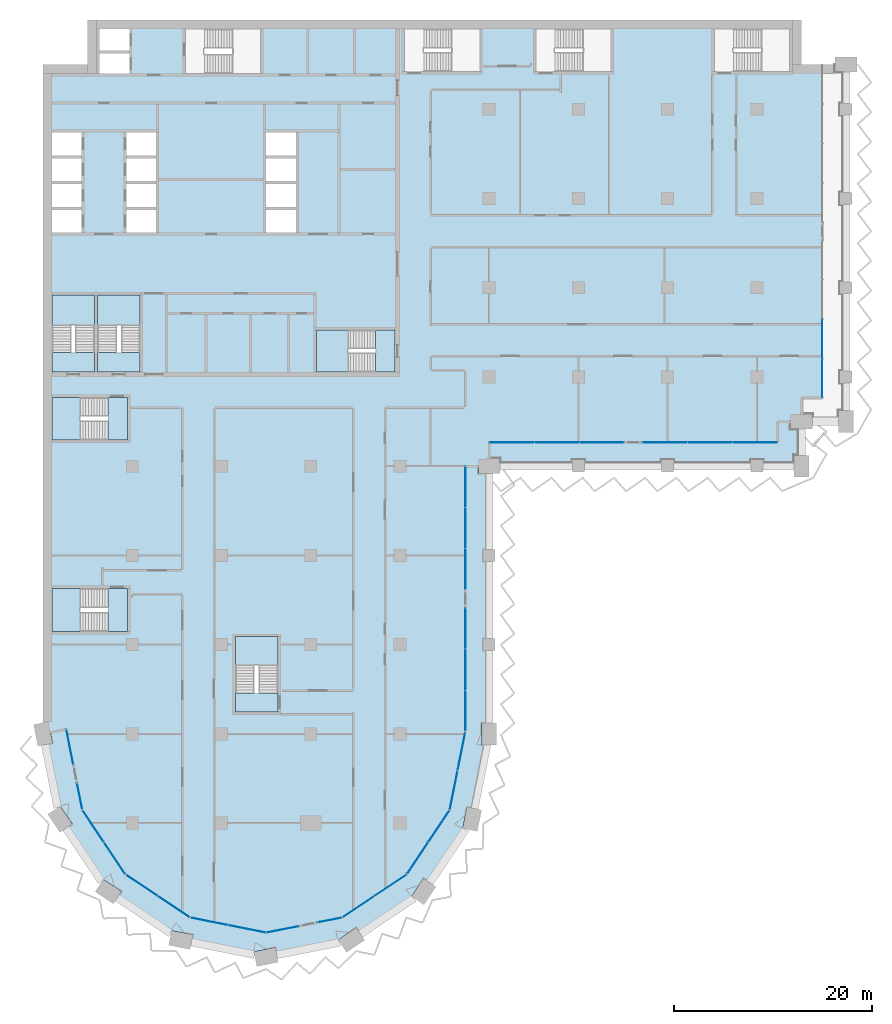
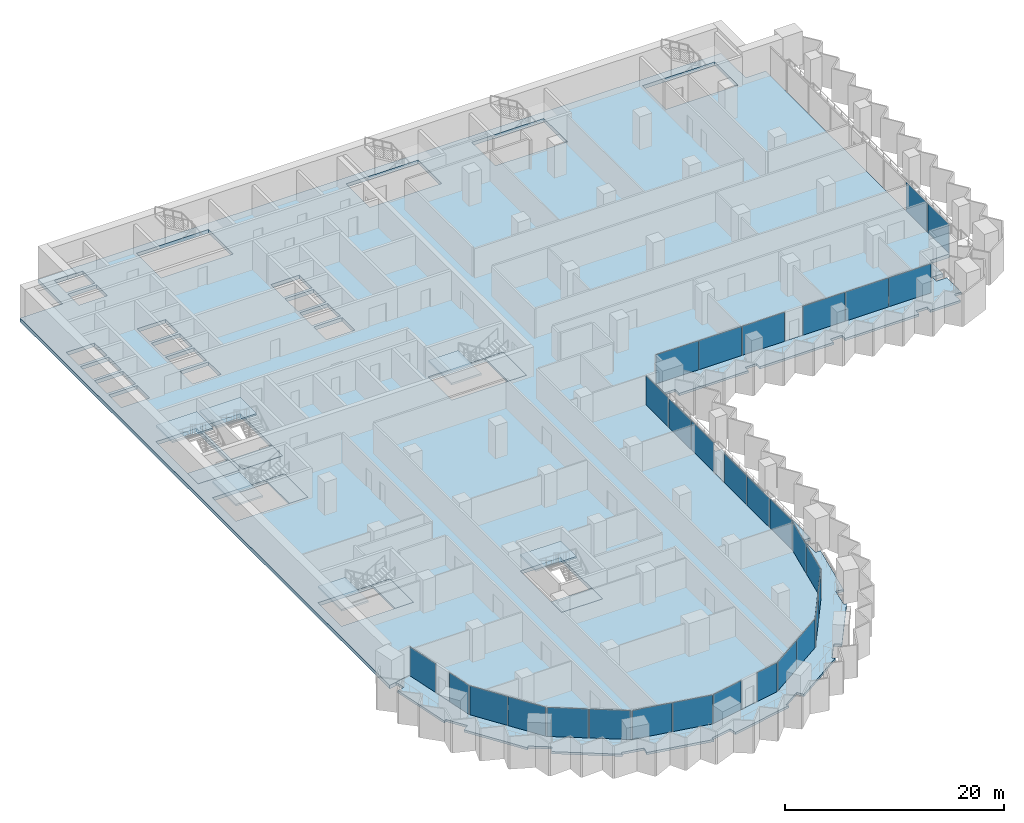
# One storey, part 7 of 23: 30 plates, 15 slabs, 21 elements without a shape of their own.
"""IFC4 building model written with IfcOpenShell, lengths in metres."""

from ifc_helpers import new_model, si_unit, direction, frame, origin, origin_2d, place, context, subcontext, project, spatial, polyline, rectangle, outline, extrude, material, layer, layer_set, type_object, element, aggregate, save


model = new_model("IFC4")

# Units and contexts
model_context = context("Model", 3, precision=1e-05, world=origin(), true_north=direction((0.0, 1.0)))
body_context = subcontext(model_context, "Body", "Model", "MODEL_VIEW")
ifc_project = project(units=[si_unit("LENGTHUNIT", "METRE"), si_unit("AREAUNIT", "SQUARE_METRE"), si_unit("VOLUMEUNIT", "CUBIC_METRE"), si_unit("PLANEANGLEUNIT", "RADIAN"), si_unit("MASSUNIT", "GRAM", prefix="KILO")], contexts=[model_context])

# Site, building, storey
site_placement = place(None, origin())
site = spatial("IfcSite", under=ifc_project, at=site_placement, CompositionType="ELEMENT")
building_placement = place(site_placement, origin())
building = spatial("IfcBuilding", under=site, at=building_placement, Name="Hunhe Ridgeline Campus", CompositionType="ELEMENT")
storey_placement = place(building_placement, frame((0.0, 0.0, 110.699951171875)))
storey = spatial("IfcBuildingStorey", under=building, at=storey_placement, Name="L27", CompositionType="ELEMENT", Elevation=110.699951171875)

# Curtain wall, plate
ifc_material_1 = material(Name="Aluminium 6063", Category="aluminium")
curtain_wall_type_1 = type_object("IfcCurtainWallType", Name="Curtain wall CW-5", PredefinedType="NOTDEFINED", material=ifc_material_1)
curtain_wall_1_placement = place(storey_placement, origin())
curtain_wall_1 = element("IfcCurtainWall", 1, at=curtain_wall_1_placement, inside=storey, type_object=curtain_wall_type_1, Name="Curtain wall 01", PredefinedType="NOTDEFINED")
ifc_material_2 = material(Name="Low-e laminated glass", Category="glass")
ifc_layer_1 = layer(ifc_material_2, 0.028076171875)
ifc_layer_set_1 = layer_set([ifc_layer_1], Name="Curtain wall glass panel 28 low-e laminated")
plate_type = type_object("IfcPlateType", Name="Curtain wall glass panel 28 low-e laminated", PredefinedType="CURTAIN_PANEL", material=ifc_layer_set_1)
plate_1_placement = place(storey_placement, frame((2.7158203125, 25.65380859375, 0.0), z_axis=(0.0, 0.0, 1.0), x_axis=(0.195095326561, -0.980784284924, 0.0)))
plate_1 = element("IfcPlate", 2, at=plate_1_placement, type_object=plate_type, Name="CW-5 panel 1", PredefinedType="CURTAIN_PANEL", context=body_context, shape_type="SweptSolid", body=[
    extrude(rectangle(XDim=3.560791015625, YDim=0.028076171875, at=origin_2d()), origin(), (0.0, 0.0, 1.0), 3.22998046875),
])
aggregate(curtain_wall_1, [plate_1])

curtain_wall_2_placement = place(storey_placement, origin())
curtain_wall_2 = element("IfcCurtainWall", 3, at=curtain_wall_2_placement, inside=storey, type_object=curtain_wall_type_1, Name="Curtain wall 02", PredefinedType="NOTDEFINED")
plate_2_placement = place(storey_placement, frame((3.701171875, 20.699951171875, 0.0), z_axis=(0.0, 0.0, 1.0), x_axis=(0.195095265587, -0.980784297053, 0.0)))
plate_2 = element("IfcPlate", 4, at=plate_2_placement, type_object=plate_type, Name="CW-5 panel 1", PredefinedType="CURTAIN_PANEL", context=body_context, shape_type="SweptSolid", body=[
    extrude(rectangle(XDim=2.660888671875, YDim=0.028076171875, at=origin_2d()), origin(), (0.0, 0.0, 1.0), 3.22998046875),
])
aggregate(curtain_wall_2, [plate_2])

# Curtain wall, plates
curtain_wall_3_placement = place(storey_placement, origin())
curtain_wall_3 = element("IfcCurtainWall", 5, at=curtain_wall_3_placement, inside=storey, type_object=curtain_wall_type_1, Name="Curtain wall 03", PredefinedType="NOTDEFINED")
plate_3_placement = place(storey_placement, frame((5.07080078125, 17.685546875, 0.0), z_axis=(0.0, 0.0, 1.0), x_axis=(0.555570274596, -0.831469584522, 0.0)))
plate_3 = element("IfcPlate", 6, at=plate_3_placement, type_object=plate_type, Name="CW-5 panel 1", PredefinedType="CURTAIN_PANEL", context=body_context, shape_type="SweptSolid", body=[
    extrude(rectangle(XDim=3.806884765625, YDim=0.028076171875, at=origin_2d()), origin(), (0.0, 0.0, 1.0), 3.22998046875),
])
plate_4_placement = place(storey_placement, frame((7.224609375, 14.4619140625, 0.0), z_axis=(0.0, 0.0, 1.0), x_axis=(0.555570274596, -0.831469584522, 0.0)))
plate_4 = element("IfcPlate", 7, at=plate_4_placement, type_object=plate_type, Name="CW-5 panel 2", PredefinedType="CURTAIN_PANEL", context=body_context, shape_type="SweptSolid", body=[
    extrude(rectangle(XDim=3.806884765625, YDim=0.028076171875, at=origin_2d()), origin(), (0.0, 0.0, 1.0), 3.22998046875),
])
aggregate(curtain_wall_3, [plate_3, plate_4])

curtain_wall_4_placement = place(storey_placement, origin())
curtain_wall_4 = element("IfcCurtainWall", 8, at=curtain_wall_4_placement, inside=storey, type_object=curtain_wall_type_1, Name="Curtain wall 04", PredefinedType="NOTDEFINED")
plate_5_placement = place(storey_placement, frame((9.9619140625, 11.724609375, 0.0), z_axis=(0.0, 0.0, 1.0), x_axis=(0.831469584522, -0.555570274596, 0.0)))
plate_5 = element("IfcPlate", 9, at=plate_5_placement, type_object=plate_type, Name="CW-5 panel 1", PredefinedType="CURTAIN_PANEL", context=body_context, shape_type="SweptSolid", body=[
    extrude(rectangle(XDim=3.806884765625, YDim=0.028076171875, at=origin_2d()), origin(), (0.0, 0.0, 1.0), 3.22998046875),
])
plate_6_placement = place(storey_placement, frame((13.185546875, 9.57080078125, 0.0), z_axis=(0.0, 0.0, 1.0), x_axis=(0.831469584522, -0.555570274596, 0.0)))
plate_6 = element("IfcPlate", 10, at=plate_6_placement, type_object=plate_type, Name="CW-5 panel 2", PredefinedType="CURTAIN_PANEL", context=body_context, shape_type="SweptSolid", body=[
    extrude(rectangle(XDim=3.806884765625, YDim=0.028076171875, at=origin_2d()), origin(), (0.0, 0.0, 1.0), 3.22998046875),
])
aggregate(curtain_wall_4, [plate_5, plate_6])

curtain_wall_5_placement = place(storey_placement, origin())
curtain_wall_5 = element("IfcCurtainWall", 11, at=curtain_wall_5_placement, inside=storey, type_object=curtain_wall_type_1, Name="Curtain wall 05", PredefinedType="NOTDEFINED")
plate_7_placement = place(storey_placement, frame((16.761962890625, 8.08935546875, 0.0), z_axis=(0.0, 0.0, 1.0), x_axis=(0.980785275326, -0.195090347539, 0.0)))
plate_7 = element("IfcPlate", 12, at=plate_7_placement, type_object=plate_type, Name="CW-5 panel 1", PredefinedType="CURTAIN_PANEL", context=body_context, shape_type="SweptSolid", body=[
    extrude(rectangle(XDim=3.806884765625, YDim=0.028076171875, at=origin_2d()), origin(), (0.0, 0.0, 1.0), 3.22998046875),
])
plate_8_placement = place(storey_placement, frame((20.564453125, 7.3330078125, 0.0), z_axis=(0.0, 0.0, 1.0), x_axis=(0.980785275326, -0.195090347539, 0.0)))
plate_8 = element("IfcPlate", 13, at=plate_8_placement, type_object=plate_type, Name="CW-5 panel 2", PredefinedType="CURTAIN_PANEL", context=body_context, shape_type="SweptSolid", body=[
    extrude(rectangle(XDim=3.806884765625, YDim=0.028076171875, at=origin_2d()), origin(), (0.0, 0.0, 1.0), 3.22998046875),
])
aggregate(curtain_wall_5, [plate_7, plate_8])

# Curtain wall, plate
curtain_wall_6_placement = place(storey_placement, origin())
curtain_wall_6 = element("IfcCurtainWall", 14, at=curtain_wall_6_placement, inside=storey, type_object=curtain_wall_type_1, Name="Curtain wall 06", PredefinedType="NOTDEFINED")
plate_9_placement = place(storey_placement, frame((24.19775390625, 7.28564453125, 0.0), z_axis=(0.0, 0.0, 1.0), x_axis=(0.980785270791, 0.19509037034, 0.0)))
plate_9 = element("IfcPlate", 15, at=plate_9_placement, type_object=plate_type, Name="CW-5 panel 1", PredefinedType="CURTAIN_PANEL", context=body_context, shape_type="SweptSolid", body=[
    extrude(rectangle(XDim=3.322021484375, YDim=0.028076171875, at=origin_2d()), origin(), (0.0, 0.0, 1.0), 3.22998046875),
])
aggregate(curtain_wall_6, [plate_9])

curtain_wall_7_placement = place(storey_placement, origin())
curtain_wall_7 = element("IfcCurtainWall", 16, at=curtain_wall_7_placement, inside=storey, type_object=curtain_wall_type_1, Name="Curtain wall 07", PredefinedType="NOTDEFINED")
plate_10_placement = place(storey_placement, frame((28.917236328125, 8.224609375, 0.0), z_axis=(0.0, 0.0, 1.0), x_axis=(0.980785242091, 0.195090514627, 0.0)))
plate_10 = element("IfcPlate", 17, at=plate_10_placement, type_object=plate_type, Name="CW-5 panel 1", PredefinedType="CURTAIN_PANEL", context=body_context, shape_type="SweptSolid", body=[
    extrude(rectangle(XDim=2.421875, YDim=0.028076171875, at=origin_2d()), origin(), (0.0, 0.0, 1.0), 3.22998046875),
])
aggregate(curtain_wall_7, [plate_10])

# Curtain wall, plates
curtain_wall_8_placement = place(storey_placement, origin())
curtain_wall_8 = element("IfcCurtainWall", 18, at=curtain_wall_8_placement, inside=storey, type_object=curtain_wall_type_1, Name="Curtain wall 08", PredefinedType="NOTDEFINED")
plate_11_placement = place(storey_placement, frame((31.814453125, 9.57080078125, 0.0), z_axis=(0.0, 0.0, 1.0), x_axis=(0.831469584522, 0.555570274596, 0.0)))
plate_11 = element("IfcPlate", 19, at=plate_11_placement, type_object=plate_type, Name="CW-5 panel 1", PredefinedType="CURTAIN_PANEL", context=body_context, shape_type="SweptSolid", body=[
    extrude(rectangle(XDim=3.806884765625, YDim=0.028076171875, at=origin_2d()), origin(), (0.0, 0.0, 1.0), 3.22998046875),
])
plate_12_placement = place(storey_placement, frame((35.0380859375, 11.724609375, 0.0), z_axis=(0.0, 0.0, 1.0), x_axis=(0.831469584522, 0.555570274596, 0.0)))
plate_12 = element("IfcPlate", 20, at=plate_12_placement, type_object=plate_type, Name="CW-5 panel 2", PredefinedType="CURTAIN_PANEL", context=body_context, shape_type="SweptSolid", body=[
    extrude(rectangle(XDim=3.806884765625, YDim=0.028076171875, at=origin_2d()), origin(), (0.0, 0.0, 1.0), 3.22998046875),
])
aggregate(curtain_wall_8, [plate_11, plate_12])

curtain_wall_9_placement = place(storey_placement, origin())
curtain_wall_9 = element("IfcCurtainWall", 21, at=curtain_wall_9_placement, inside=storey, type_object=curtain_wall_type_1, Name="Curtain wall 09", PredefinedType="NOTDEFINED")
plate_13_placement = place(storey_placement, frame((37.775390625, 14.4619140625, 0.0), z_axis=(0.0, 0.0, 1.0), x_axis=(0.555570274596, 0.831469584522, 0.0)))
plate_13 = element("IfcPlate", 22, at=plate_13_placement, type_object=plate_type, Name="CW-5 panel 1", PredefinedType="CURTAIN_PANEL", context=body_context, shape_type="SweptSolid", body=[
    extrude(rectangle(XDim=3.806884765625, YDim=0.028076171875, at=origin_2d()), origin(), (0.0, 0.0, 1.0), 3.22998046875),
])
plate_14_placement = place(storey_placement, frame((39.92919921875, 17.685546875, 0.0), z_axis=(0.0, 0.0, 1.0), x_axis=(0.555570274596, 0.831469584522, 0.0)))
plate_14 = element("IfcPlate", 23, at=plate_14_placement, type_object=plate_type, Name="CW-5 panel 2", PredefinedType="CURTAIN_PANEL", context=body_context, shape_type="SweptSolid", body=[
    extrude(rectangle(XDim=3.806884765625, YDim=0.028076171875, at=origin_2d()), origin(), (0.0, 0.0, 1.0), 3.22998046875),
])
aggregate(curtain_wall_9, [plate_13, plate_14])

curtain_wall_10_placement = place(storey_placement, origin())
curtain_wall_10 = element("IfcCurtainWall", 24, at=curtain_wall_10_placement, inside=storey, type_object=curtain_wall_type_1, Name="Curtain wall 10", PredefinedType="NOTDEFINED")
plate_15_placement = place(storey_placement, frame((41.42236328125, 21.321044921875, 0.0), z_axis=(0.0, 0.0, 1.0), x_axis=(0.195090299215, 0.980785284939, 0.0)))
plate_15 = element("IfcPlate", 25, at=plate_15_placement, type_object=plate_type, Name="CW-5 panel 1", PredefinedType="CURTAIN_PANEL", context=body_context, shape_type="SweptSolid", body=[
    extrude(rectangle(XDim=3.927490234375, YDim=0.028076171875, at=origin_2d()), origin(), (0.0, 0.0, 1.0), 3.22998046875),
])
plate_16_placement = place(storey_placement, frame((42.2021484375, 25.24169921875, 0.0), z_axis=(0.0, 0.0, 1.0), x_axis=(0.195090299215, 0.980785284939, 0.0)))
plate_16 = element("IfcPlate", 26, at=plate_16_placement, type_object=plate_type, Name="CW-5 panel 2", PredefinedType="CURTAIN_PANEL", context=body_context, shape_type="SweptSolid", body=[
    extrude(rectangle(XDim=3.927490234375, YDim=0.028076171875, at=origin_2d()), origin(), (0.0, 0.0, 1.0), 3.22998046875),
])
aggregate(curtain_wall_10, [plate_15, plate_16])

curtain_wall_type_2 = type_object("IfcCurtainWallType", Name="Curtain wall CW-1", PredefinedType="NOTDEFINED", material=ifc_material_1)
curtain_wall_11_placement = place(storey_placement, origin())
curtain_wall_11 = element("IfcCurtainWall", 27, at=curtain_wall_11_placement, inside=storey, type_object=curtain_wall_type_2, Name="Curtain wall 11", PredefinedType="NOTDEFINED")
plate_17_placement = place(storey_placement, frame((42.59912109375, 29.331787109375, 0.0), z_axis=(0.0, 0.0, 1.0), x_axis=(1.0975712e-05, 0.99999999994, 0.0)))
plate_17 = element("IfcPlate", 28, at=plate_17_placement, type_object=plate_type, Name="CW-1 panel 1", PredefinedType="CURTAIN_PANEL", context=body_context, shape_type="SweptSolid", body=[
    extrude(rectangle(XDim=4.07080078125, YDim=0.028076171875, at=origin_2d()), origin(), (0.0, 0.0, 1.0), 3.239990234375),
])
plate_18_placement = place(storey_placement, frame((42.59912109375, 33.4775390625, 0.0), z_axis=(0.0, 0.0, 1.0), x_axis=(1.0975712e-05, 0.99999999994, 0.0)))
plate_18 = element("IfcPlate", 29, at=plate_18_placement, type_object=plate_type, Name="CW-1 panel 2", PredefinedType="CURTAIN_PANEL", context=body_context, shape_type="SweptSolid", body=[
    extrude(rectangle(XDim=4.1005859375, YDim=0.028076171875, at=origin_2d()), origin(), (0.0, 0.0, 1.0), 3.239990234375),
])
plate_19_placement = place(storey_placement, frame((42.59912109375, 37.623291015625, 0.0), z_axis=(0.0, 0.0, 1.0), x_axis=(1.0975712e-05, 0.99999999994, 0.0)))
plate_19 = element("IfcPlate", 30, at=plate_19_placement, type_object=plate_type, Name="CW-1 panel 3", PredefinedType="CURTAIN_PANEL", context=body_context, shape_type="SweptSolid", body=[
    extrude(rectangle(XDim=4.07080078125, YDim=0.028076171875, at=origin_2d()), origin(), (0.0, 0.0, 1.0), 3.239990234375),
])
aggregate(curtain_wall_11, [plate_17, plate_18, plate_19])

curtain_wall_12_placement = place(storey_placement, origin())
curtain_wall_12 = element("IfcCurtainWall", 31, at=curtain_wall_12_placement, inside=storey, type_object=curtain_wall_type_2, Name="Curtain wall 12", PredefinedType="NOTDEFINED")
plate_20_placement = place(storey_placement, frame((42.59912109375, 43.614013671875, 0.0), z_axis=(0.0, 0.0, 1.0), x_axis=(1.0975712e-05, 0.99999999994, 0.0)))
plate_20 = element("IfcPlate", 32, at=plate_20_placement, type_object=plate_type, Name="CW-1 panel 1", PredefinedType="CURTAIN_PANEL", context=body_context, shape_type="SweptSolid", body=[
    extrude(rectangle(XDim=4.07080078125, YDim=0.028076171875, at=origin_2d()), origin(), (0.0, 0.0, 1.0), 3.239990234375),
])
plate_21_placement = place(storey_placement, frame((42.59912109375, 47.759765625, 0.0), z_axis=(0.0, 0.0, 1.0), x_axis=(1.0975712e-05, 0.99999999994, 0.0)))
plate_21 = element("IfcPlate", 33, at=plate_21_placement, type_object=plate_type, Name="CW-1 panel 2", PredefinedType="CURTAIN_PANEL", context=body_context, shape_type="SweptSolid", body=[
    extrude(rectangle(XDim=4.1005859375, YDim=0.028076171875, at=origin_2d()), origin(), (0.0, 0.0, 1.0), 3.239990234375),
])
plate_22_placement = place(storey_placement, frame((42.599365234375, 51.9052734375, 0.0), z_axis=(0.0, 0.0, 1.0), x_axis=(1.0975712e-05, 0.99999999994, 0.0)))
plate_22 = element("IfcPlate", 34, at=plate_22_placement, type_object=plate_type, Name="CW-1 panel 3", PredefinedType="CURTAIN_PANEL", context=body_context, shape_type="SweptSolid", body=[
    extrude(rectangle(XDim=4.07080078125, YDim=0.028076171875, at=origin_2d()), origin(), (0.0, 0.0, 1.0), 3.239990234375),
])
aggregate(curtain_wall_12, [plate_20, plate_21, plate_22])

curtain_wall_13_placement = place(storey_placement, origin())
curtain_wall_13 = element("IfcCurtainWall", 35, at=curtain_wall_13_placement, inside=storey, type_object=curtain_wall_type_2, Name="Curtain wall 13", PredefinedType="NOTDEFINED")
plate_23_placement = place(storey_placement, frame((47.289794921875, 56.40087890625, 0.0), z_axis=(0.0, 0.0, 1.0), x_axis=(1.0, 1.4652e-07, 0.0)))
plate_23 = element("IfcPlate", 36, at=plate_23_placement, type_object=plate_type, Name="CW-1 panel 1", PredefinedType="CURTAIN_PANEL", context=body_context, shape_type="SweptSolid", body=[
    extrude(rectangle(XDim=4.4599609375, YDim=0.028076171875, at=origin_2d()), origin(), (0.0, 0.0, 1.0), 3.239990234375),
])
plate_24_placement = place(storey_placement, frame((51.82470703125, 56.40087890625, 0.0), z_axis=(0.0, 0.0, 1.0), x_axis=(1.0, 1.4652e-07, 0.0)))
plate_24 = element("IfcPlate", 37, at=plate_24_placement, type_object=plate_type, Name="CW-1 panel 2", PredefinedType="CURTAIN_PANEL", context=body_context, shape_type="SweptSolid", body=[
    extrude(rectangle(XDim=4.48974609375, YDim=0.028076171875, at=origin_2d()), origin(), (0.0, 0.0, 1.0), 3.239990234375),
])
plate_25_placement = place(storey_placement, frame((56.359619140625, 56.40087890625, 0.0), z_axis=(0.0, 0.0, 1.0), x_axis=(1.0, 1.4652e-07, 0.0)))
plate_25 = element("IfcPlate", 38, at=plate_25_placement, type_object=plate_type, Name="CW-1 panel 3", PredefinedType="CURTAIN_PANEL", context=body_context, shape_type="SweptSolid", body=[
    extrude(rectangle(XDim=4.4599609375, YDim=0.028076171875, at=origin_2d()), origin(), (0.0, 0.0, 1.0), 3.239990234375),
])
aggregate(curtain_wall_13, [plate_23, plate_24, plate_25])

curtain_wall_14_placement = place(storey_placement, origin())
curtain_wall_14 = element("IfcCurtainWall", 39, at=curtain_wall_14_placement, inside=storey, type_object=curtain_wall_type_2, Name="Curtain wall 14", PredefinedType="NOTDEFINED")
plate_26_placement = place(storey_placement, frame((62.7392578125, 56.40087890625, 0.0), z_axis=(0.0, 0.0, 1.0), x_axis=(1.0, 1.4652e-07, 0.0)))
plate_26 = element("IfcPlate", 40, at=plate_26_placement, type_object=plate_type, Name="CW-1 panel 1", PredefinedType="CURTAIN_PANEL", context=body_context, shape_type="SweptSolid", body=[
    extrude(rectangle(XDim=4.4599609375, YDim=0.028076171875, at=origin_2d()), origin(), (0.0, 0.0, 1.0), 3.239990234375),
])
plate_27_placement = place(storey_placement, frame((67.274169921875, 56.40087890625, 0.0), z_axis=(0.0, 0.0, 1.0), x_axis=(1.0, 1.4652e-07, 0.0)))
plate_27 = element("IfcPlate", 41, at=plate_27_placement, type_object=plate_type, Name="CW-1 panel 2", PredefinedType="CURTAIN_PANEL", context=body_context, shape_type="SweptSolid", body=[
    extrude(rectangle(XDim=4.48974609375, YDim=0.028076171875, at=origin_2d()), origin(), (0.0, 0.0, 1.0), 3.239990234375),
])
plate_28_placement = place(storey_placement, frame((71.80908203125, 56.40087890625, 0.0), z_axis=(0.0, 0.0, 1.0), x_axis=(1.0, 1.4652e-07, 0.0)))
plate_28 = element("IfcPlate", 42, at=plate_28_placement, type_object=plate_type, Name="CW-1 panel 3", PredefinedType="CURTAIN_PANEL", context=body_context, shape_type="SweptSolid", body=[
    extrude(rectangle(XDim=4.4599609375, YDim=0.028076171875, at=origin_2d()), origin(), (0.0, 0.0, 1.0), 3.239990234375),
])
aggregate(curtain_wall_14, [plate_26, plate_27, plate_28])

curtain_wall_15_placement = place(storey_placement, origin())
curtain_wall_15 = element("IfcCurtainWall", 43, at=curtain_wall_15_placement, inside=storey, type_object=curtain_wall_type_2, Name="Curtain wall 15", PredefinedType="NOTDEFINED")
plate_29_placement = place(storey_placement, frame((78.59912109375, 62.9033203125, 0.0), z_axis=(0.0, 0.0, 1.0), x_axis=(0.0, 1.0, 0.0)))
plate_29 = element("IfcPlate", 44, at=plate_29_placement, type_object=plate_type, Name="CW-1 panel 1", PredefinedType="CURTAIN_PANEL", context=body_context, shape_type="SweptSolid", body=[
    extrude(rectangle(XDim=3.884765625, YDim=0.028076171875, at=origin_2d()), origin(), (0.0, 0.0, 1.0), 3.239990234375),
])
plate_30_placement = place(storey_placement, frame((78.59912109375, 66.86328125, 0.0), z_axis=(0.0, 0.0, 1.0), x_axis=(0.0, 1.0, 0.0)))
plate_30 = element("IfcPlate", 45, at=plate_30_placement, type_object=plate_type, Name="CW-1 panel 2", PredefinedType="CURTAIN_PANEL", context=body_context, shape_type="SweptSolid", body=[
    extrude(rectangle(XDim=3.914794921875, YDim=0.028076171875, at=origin_2d()), origin(), (0.0, 0.0, 1.0), 3.239990234375),
])
aggregate(curtain_wall_15, [plate_29, plate_30])

# Slabs
ifc_material_3 = material(Name="Concrete C40", Category="concrete")
ifc_layer_2 = layer(ifc_material_3, 0.39990234375)
ifc_layer_set_2 = layer_set([ifc_layer_2], Name="Floor slab 400 Concrete C40")
slab_type_1 = type_object("IfcSlabType", Name="Floor slab 400 Concrete C40", PredefinedType="FLOOR", material=ifc_layer_set_2)
slab_1_placement = place(storey_placement, frame((0.0, 0.0, -0.39990234375)))
element("IfcSlab", 46, at=slab_1_placement, inside=storey, type_object=slab_type_1, Name="Floor slab L27 1", PredefinedType="FLOOR", context=body_context, shape_type="SweptSolid", body=[
    extrude(outline(polyline([(0.0, 27.0009765625), (2.354736328125, 27.46875), (3.974365234375, 19.326416015625), (8.321044921875, 12.821044921875), (14.826416015625, 8.474365234375), (22.5, 6.947998046875), (30.173583984375, 8.474365234375), (36.678955078125, 12.821044921875), (41.025634765625, 19.326416015625), (42.59912109375, 27.236572265625), (42.599365234375, 54.000732421875), (44.9990234375, 54.0009765625), (45.0, 56.40087890625), (74.09912109375, 56.40087890625), (74.099365234375, 58.500732421875), (76.4990234375, 58.5009765625), (76.499267578125, 60.900634765625), (78.59912109375, 60.90087890625), (78.59912109375, 94.5), (76.5, 94.5), (76.5, 99.0), (4.5, 99.0), (4.5, 94.5), (0.0, 94.5), (0.0, 27.0009765625)]), holes=[polyline([(67.699951171875, 93.800048828125), (75.300048828125, 93.800048828125), (75.300048828125, 98.10009765625), (67.699951171875, 98.10009765625), (67.699951171875, 93.800048828125)]), polyline([(57.300048828125, 93.800048828125), (57.300048828125, 98.10009765625), (49.699951171875, 98.10009765625), (49.699951171875, 93.800048828125), (57.300048828125, 93.800048828125)]), polyline([(44.050048828125, 98.10009765625), (36.449951171875, 98.10009765625), (36.449951171875, 93.800048828125), (44.050048828125, 93.800048828125), (44.050048828125, 98.10009765625)]), polyline([(27.60009765625, 67.75), (27.60009765625, 63.5), (35.5, 63.5), (35.5, 67.75), (27.60009765625, 67.75)]), polyline([(25.5, 85.35009765625), (25.5, 87.64990234375), (22.5, 87.64990234375), (22.5, 85.35009765625), (25.5, 85.35009765625)]), polyline([(25.5, 85.050048828125), (22.5, 85.050048828125), (22.5, 82.75), (25.5, 82.75), (25.5, 85.050048828125)]), polyline([(22.5, 82.449951171875), (22.5, 80.14990234375), (25.5, 80.14990234375), (25.5, 82.449951171875), (22.5, 82.449951171875)]), polyline([(22.5, 77.550048828125), (25.5, 77.550048828125), (25.5, 79.85009765625), (22.5, 79.85009765625), (22.5, 77.550048828125)]), polyline([(19.39990234375, 29.199951171875), (23.699951171875, 29.199951171875), (23.699951171875, 36.800048828125), (19.39990234375, 36.800048828125), (19.39990234375, 29.199951171875)]), polyline([(21.949951171875, 98.10009765625), (14.35009765625, 98.10009765625), (14.35009765625, 93.60009765625), (21.949951171875, 93.60009765625), (21.949951171875, 98.10009765625)]), polyline([(8.39990234375, 82.449951171875), (8.39990234375, 80.14990234375), (11.39990234375, 80.14990234375), (11.39990234375, 82.449951171875), (8.39990234375, 82.449951171875)]), polyline([(11.39990234375, 85.35009765625), (11.39990234375, 87.64990234375), (8.39990234375, 87.64990234375), (8.39990234375, 85.35009765625), (11.39990234375, 85.35009765625)]), polyline([(11.39990234375, 85.050048828125), (8.39990234375, 85.050048828125), (8.39990234375, 82.75), (11.39990234375, 82.75), (11.39990234375, 85.050048828125)]), polyline([(8.39990234375, 77.550048828125), (11.39990234375, 77.550048828125), (11.39990234375, 79.85009765625), (8.39990234375, 79.85009765625), (8.39990234375, 77.550048828125)]), polyline([(5.5, 63.5), (9.800048828125, 63.5), (9.800048828125, 71.25), (5.5, 71.25), (5.5, 63.5)]), polyline([(5.699951171875, 98.10009765625), (5.699951171875, 95.89990234375), (8.699951171875, 95.89990234375), (8.699951171875, 98.10009765625), (5.699951171875, 98.10009765625)]), polyline([(5.699951171875, 93.60009765625), (8.699951171875, 93.60009765625), (8.699951171875, 95.60009765625), (5.699951171875, 95.60009765625), (5.699951171875, 93.60009765625)]), polyline([(0.89990234375, 60.949951171875), (0.89990234375, 56.64990234375), (8.5, 56.64990234375), (8.5, 60.949951171875), (0.89990234375, 60.949951171875)]), polyline([(0.89990234375, 37.35009765625), (8.5, 37.35009765625), (8.5, 41.64990234375), (0.89990234375, 41.64990234375), (0.89990234375, 37.35009765625)]), polyline([(5.199951171875, 63.5), (5.199951171875, 71.25), (0.89990234375, 71.25), (0.89990234375, 63.5), (5.199951171875, 63.5)]), polyline([(3.89990234375, 85.35009765625), (3.89990234375, 87.64990234375), (0.89990234375, 87.64990234375), (0.89990234375, 85.35009765625), (3.89990234375, 85.35009765625)]), polyline([(3.89990234375, 85.050048828125), (0.89990234375, 85.050048828125), (0.89990234375, 82.75), (3.89990234375, 82.75), (3.89990234375, 85.050048828125)]), polyline([(0.89990234375, 82.449951171875), (0.89990234375, 80.14990234375), (3.89990234375, 80.14990234375), (3.89990234375, 82.449951171875), (0.89990234375, 82.449951171875)]), polyline([(0.89990234375, 77.550048828125), (3.89990234375, 77.550048828125), (3.89990234375, 79.85009765625), (0.89990234375, 79.85009765625), (0.89990234375, 77.550048828125)])]), origin(), (0.0, 0.0, 1.0), 0.39990234375),
])
ifc_layer_3 = layer(ifc_material_3, 0.25)
ifc_layer_set_3 = layer_set([ifc_layer_3], Name="Loggia slab 250 Concrete C40")
slab_type_2 = type_object("IfcSlabType", Name="Loggia slab 250 Concrete C40", PredefinedType="FLOOR", material=ifc_layer_set_3)
slab_2_placement = place(storey_placement, frame((0.0, 0.0, -0.25)))
element("IfcSlab", 47, at=slab_2_placement, inside=storey, type_object=slab_type_2, Name="Loggia slab 1", PredefinedType="FLOOR", context=body_context, shape_type="SweptSolid", body=[
    extrude(outline(polyline([(30.173828125, 8.473388671875), (22.5, 6.947021484375), (14.826171875, 8.473388671875), (8.3203125, 12.8203125), (3.973388671875, 19.326171875), (2.35400390625, 27.46826171875), (0.735595703125, 27.146240234375), (0.9501953125, 26.0673828125), (0.214599609375, 25.921142578125), (1.48046875, 19.557373046875), (1.72509765625, 19.720947265625), (2.947509765625, 17.8916015625), (2.32373046875, 17.47509765625), (5.9287109375, 12.080078125), (6.092041015625, 12.32470703125), (7.92138671875, 11.1025390625), (7.504638671875, 10.47900390625), (12.899658203125, 6.874267578125), (12.95703125, 7.162841796875), (15.11474609375, 6.733642578125), (14.968505859375, 5.998046875), (21.332275390625, 4.732177734375), (21.27490234375, 5.02099609375), (23.4326171875, 5.4501953125), (23.578857421875, 4.714599609375), (29.942626953125, 5.98046875), (29.779052734375, 6.22509765625), (31.6083984375, 7.447509765625), (32.02490234375, 6.82373046875), (37.419921875, 10.4287109375), (37.17529296875, 10.592041015625), (38.3974609375, 12.42138671875), (39.02099609375, 12.004638671875), (42.625732421875, 17.399658203125), (42.337158203125, 17.45703125), (42.766357421875, 19.61474609375), (43.501953125, 19.468505859375), (44.78125, 25.89990234375), (44.25, 25.89990234375), (44.25, 28.10009765625), (45.0, 28.10009765625), (45.0, 35.39990234375), (44.39990234375, 35.39990234375), (44.39990234375, 36.60009765625), (45.0, 36.60009765625), (45.0, 44.39990234375), (44.39990234375, 44.39990234375), (44.39990234375, 45.60009765625), (45.0, 45.60009765625), (45.0, 53.25), (43.89990234375, 53.25), (43.89990234375, 54.0), (42.60009765625, 54.0), (42.60009765625, 27.236328125), (41.026611328125, 19.326171875), (36.6796875, 12.8203125), (30.173828125, 8.473388671875)])), origin(), (0.0, 0.0, 1.0), 0.25),
])
slab_3_placement = place(storey_placement, frame((0.0, 0.0, -0.25)))
element("IfcSlab", 48, at=slab_3_placement, inside=storey, type_object=slab_type_2, Name="Loggia slab 2", PredefinedType="FLOOR", context=body_context, shape_type="SweptSolid", body=[
    extrude(outline(polyline([(45.0, 54.75), (46.10009765625, 54.75), (46.10009765625, 54.0), (53.39990234375, 54.0), (53.39990234375, 54.60009765625), (54.60009765625, 54.60009765625), (54.60009765625, 54.0), (62.39990234375, 54.0), (62.39990234375, 54.60009765625), (63.60009765625, 54.60009765625), (63.60009765625, 54.0), (71.39990234375, 54.0), (71.39990234375, 54.60009765625), (72.60009765625, 54.60009765625), (72.60009765625, 54.0), (75.75, 54.0), (75.75, 55.10009765625), (76.5, 55.10009765625), (76.5, 57.75), (75.39990234375, 57.75), (75.39990234375, 58.5), (74.10009765625, 58.5), (74.10009765625, 56.39990234375), (45.0, 56.39990234375), (45.0, 54.75)])), origin(), (0.0, 0.0, 1.0), 0.25),
])

# Stair, slab
stair_type = type_object("IfcStairType", Name="Reinforced concrete dog-leg stair 1950 Concrete C40", PredefinedType="HALF_TURN_STAIR", material=ifc_material_3)
stair_1_placement = place(storey_placement, origin())
stair_1 = element("IfcStair", 49, at=stair_1_placement, inside=storey, type_object=stair_type, Name="L27 S2", PredefinedType="HALF_TURN_STAIR")
ifc_layer_4 = layer(ifc_material_3, 0.199951171875)
ifc_layer_set_4 = layer_set([ifc_layer_4], Name="Reinforced concrete stair landing 200 Concrete C40")
slab_type_3 = type_object("IfcSlabType", Name="Reinforced concrete stair landing 200 Concrete C40", PredefinedType="LANDING", material=ifc_layer_set_4)
slab_4_placement = place(storey_placement, frame((0.0, 0.0, 1.650146484375)))
slab_4 = element("IfcSlab", 50, at=slab_4_placement, type_object=slab_type_3, Name="ST2 landing 1", PredefinedType="LANDING", context=body_context, shape_type="SweptSolid", body=[
    extrude(outline(polyline([(30.75, 67.75), (27.60009765625, 67.75), (27.60009765625, 63.5), (30.75, 63.5), (30.75, 67.75)])), origin(), (0.0, 0.0, 1.0), 0.199951171875),
])
aggregate(stair_1, [slab_4])

# Slab
slab_5_placement = place(storey_placement, frame((0.0, 0.0, -0.199951171875)))
element("IfcSlab", 51, at=slab_5_placement, inside=storey, type_object=slab_type_3, Name="L27 stair S2 floor landing", PredefinedType="LANDING", context=body_context, shape_type="SweptSolid", body=[
    extrude(outline(polyline([(35.5, 67.75), (33.550048828125, 67.75), (33.550048828125, 63.5), (35.5, 63.5), (35.5, 67.75)])), origin(), (0.0, 0.0, 1.0), 0.199951171875),
])

# Stair, slab
stair_2_placement = place(storey_placement, origin())
stair_2 = element("IfcStair", 52, at=stair_2_placement, inside=storey, type_object=stair_type, Name="L27 S3", PredefinedType="HALF_TURN_STAIR")
slab_6_placement = place(storey_placement, frame((0.0, 0.0, 1.650146484375)))
slab_6 = element("IfcSlab", 53, at=slab_6_placement, type_object=slab_type_3, Name="ST3 landing 1", PredefinedType="LANDING", context=body_context, shape_type="SweptSolid", body=[
    extrude(outline(polyline([(5.199951171875, 68.25), (5.199951171875, 71.25), (0.89990234375, 71.25), (0.89990234375, 68.25), (5.199951171875, 68.25)])), origin(), (0.0, 0.0, 1.0), 0.199951171875),
])
aggregate(stair_2, [slab_6])

# Slab
slab_7_placement = place(storey_placement, frame((0.0, 0.0, -0.199951171875)))
element("IfcSlab", 54, at=slab_7_placement, inside=storey, type_object=slab_type_3, Name="L27 stair S3 floor landing", PredefinedType="LANDING", context=body_context, shape_type="SweptSolid", body=[
    extrude(outline(polyline([(5.199951171875, 63.5), (5.199951171875, 65.449951171875), (0.89990234375, 65.449951171875), (0.89990234375, 63.5), (5.199951171875, 63.5)])), origin(), (0.0, 0.0, 1.0), 0.199951171875),
])

# Stair, slab
stair_3_placement = place(storey_placement, origin())
stair_3 = element("IfcStair", 55, at=stair_3_placement, inside=storey, type_object=stair_type, Name="L27 S4", PredefinedType="HALF_TURN_STAIR")
slab_8_placement = place(storey_placement, frame((0.0, 0.0, 1.650146484375)))
slab_8 = element("IfcSlab", 56, at=slab_8_placement, type_object=slab_type_3, Name="ST4 landing 1", PredefinedType="LANDING", context=body_context, shape_type="SweptSolid", body=[
    extrude(outline(polyline([(9.800048828125, 68.25), (9.800048828125, 71.25), (5.5, 71.25), (5.5, 68.25), (9.800048828125, 68.25)])), origin(), (0.0, 0.0, 1.0), 0.199951171875),
])
aggregate(stair_3, [slab_8])

# Slab
slab_9_placement = place(storey_placement, frame((0.0, 0.0, -0.199951171875)))
element("IfcSlab", 57, at=slab_9_placement, inside=storey, type_object=slab_type_3, Name="L27 stair S4 floor landing", PredefinedType="LANDING", context=body_context, shape_type="SweptSolid", body=[
    extrude(outline(polyline([(9.800048828125, 63.5), (9.800048828125, 65.449951171875), (5.5, 65.449951171875), (5.5, 63.5), (9.800048828125, 63.5)])), origin(), (0.0, 0.0, 1.0), 0.199951171875),
])

# Stair, slab
stair_4_placement = place(storey_placement, origin())
stair_4 = element("IfcStair", 58, at=stair_4_placement, inside=storey, type_object=stair_type, Name="L27 W3", PredefinedType="HALF_TURN_STAIR")
slab_10_placement = place(storey_placement, frame((0.0, 0.0, 1.650146484375)))
slab_10 = element("IfcSlab", 59, at=slab_10_placement, type_object=slab_type_3, Name="ST9 landing 1", PredefinedType="LANDING", context=body_context, shape_type="SweptSolid", body=[
    extrude(outline(polyline([(23.699951171875, 33.949951171875), (23.699951171875, 36.800048828125), (19.39990234375, 36.800048828125), (19.39990234375, 33.949951171875), (23.699951171875, 33.949951171875)])), origin(), (0.0, 0.0, 1.0), 0.199951171875),
])
aggregate(stair_4, [slab_10])

# Slab
slab_11_placement = place(storey_placement, frame((0.0, 0.0, -0.199951171875)))
element("IfcSlab", 60, at=slab_11_placement, inside=storey, type_object=slab_type_3, Name="L27 stair W3 floor landing", PredefinedType="LANDING", context=body_context, shape_type="SweptSolid", body=[
    extrude(outline(polyline([(23.699951171875, 29.199951171875), (23.699951171875, 31.14990234375), (19.39990234375, 31.14990234375), (19.39990234375, 29.199951171875), (23.699951171875, 29.199951171875)])), origin(), (0.0, 0.0, 1.0), 0.199951171875),
])

# Stair, slab
stair_5_placement = place(storey_placement, origin())
stair_5 = element("IfcStair", 61, at=stair_5_placement, inside=storey, type_object=stair_type, Name="L27 W1", PredefinedType="HALF_TURN_STAIR")
slab_12_placement = place(storey_placement, frame((0.0, 0.0, 1.650146484375)))
slab_12 = element("IfcSlab", 62, at=slab_12_placement, type_object=slab_type_3, Name="ST11 landing 1", PredefinedType="LANDING", context=body_context, shape_type="SweptSolid", body=[
    extrude(outline(polyline([(3.75, 41.64990234375), (0.89990234375, 41.64990234375), (0.89990234375, 37.35009765625), (3.75, 37.35009765625), (3.75, 41.64990234375)])), origin(), (0.0, 0.0, 1.0), 0.199951171875),
])
aggregate(stair_5, [slab_12])

# Slab
slab_13_placement = place(storey_placement, frame((0.0, 0.0, -0.199951171875)))
element("IfcSlab", 63, at=slab_13_placement, inside=storey, type_object=slab_type_3, Name="L27 stair W1 floor landing", PredefinedType="LANDING", context=body_context, shape_type="SweptSolid", body=[
    extrude(outline(polyline([(8.5, 41.64990234375), (6.550048828125, 41.64990234375), (6.550048828125, 37.35009765625), (8.5, 37.35009765625), (8.5, 41.64990234375)])), origin(), (0.0, 0.0, 1.0), 0.199951171875),
])

# Stair, slab
stair_6_placement = place(storey_placement, origin())
stair_6 = element("IfcStair", 64, at=stair_6_placement, inside=storey, type_object=stair_type, Name="L27 W2", PredefinedType="HALF_TURN_STAIR")
slab_14_placement = place(storey_placement, frame((0.0, 0.0, 1.650146484375)))
slab_14 = element("IfcSlab", 65, at=slab_14_placement, type_object=slab_type_3, Name="ST12 landing 1", PredefinedType="LANDING", context=body_context, shape_type="SweptSolid", body=[
    extrude(outline(polyline([(3.75, 60.949951171875), (0.89990234375, 60.949951171875), (0.89990234375, 56.64990234375), (3.75, 56.64990234375), (3.75, 60.949951171875)])), origin(), (0.0, 0.0, 1.0), 0.199951171875),
])
aggregate(stair_6, [slab_14])

# Slab
slab_15_placement = place(storey_placement, frame((0.0, 0.0, -0.199951171875)))
element("IfcSlab", 66, at=slab_15_placement, inside=storey, type_object=slab_type_3, Name="L27 stair W2 floor landing", PredefinedType="LANDING", context=body_context, shape_type="SweptSolid", body=[
    extrude(outline(polyline([(8.5, 60.949951171875), (6.550048828125, 60.949951171875), (6.550048828125, 56.64990234375), (8.5, 56.64990234375), (8.5, 60.949951171875)])), origin(), (0.0, 0.0, 1.0), 0.199951171875),
])

save(model, "model.ifc")
